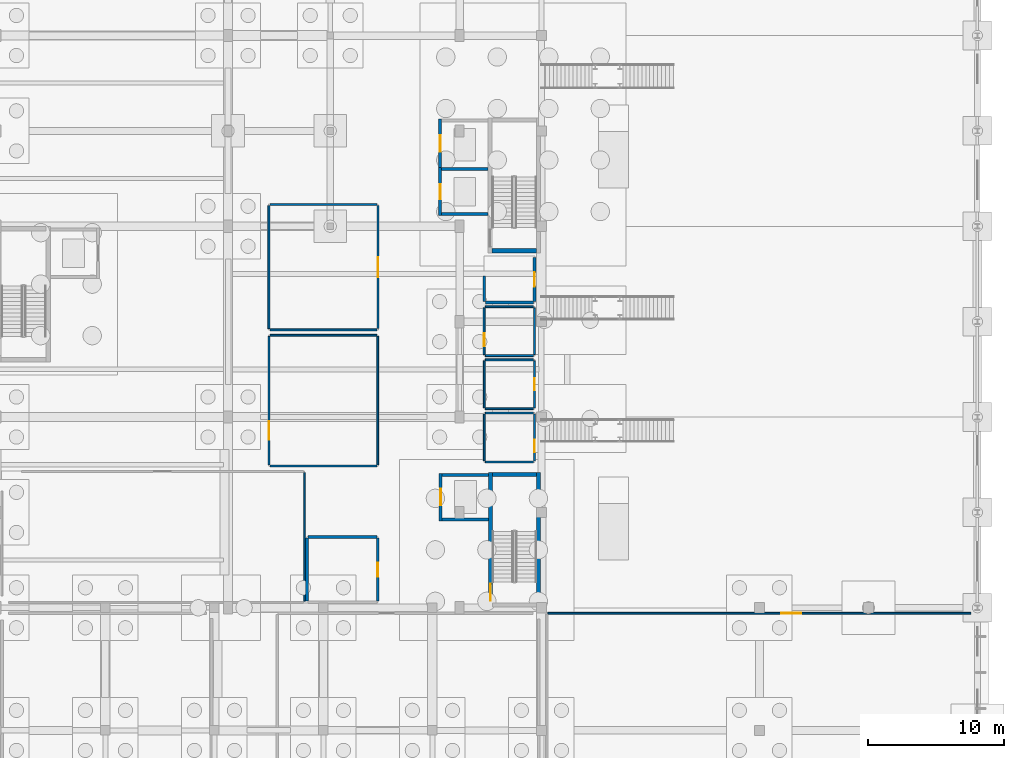
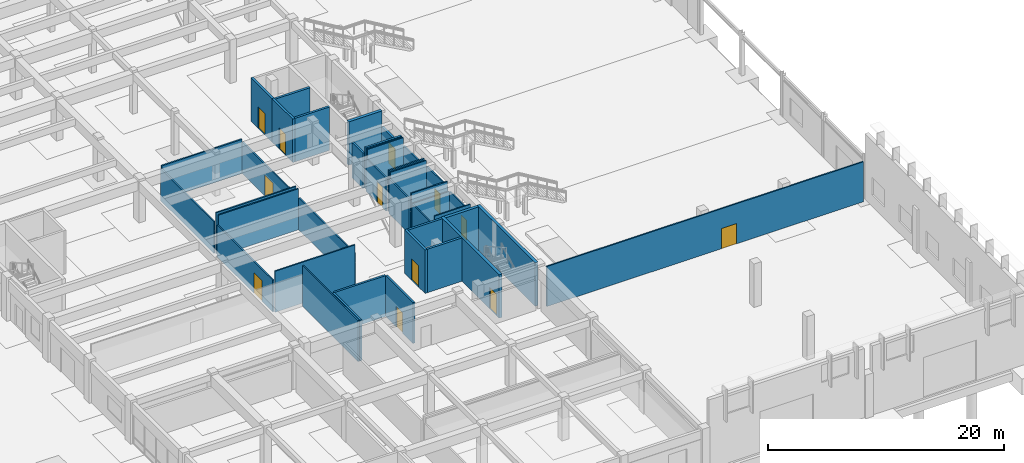
# One storey, part 61 of 84: 39 walls, 12 doors, 12 openings.
"""IFC4 building model written with IfcOpenShell, lengths in metres."""

from ifc_helpers import new_model, si_unit, direction, frame, frame_2d, origin, place, context, subcontext, project, spatial, rectangle, extrude, material, layer, layer_set, type_object, element, fill, save


model = new_model("IFC4")

# Units and contexts
model_context = context("Model", 3, precision=1e-05, world=origin(), true_north=direction((0.0, 1.0)))
body_context = subcontext(model_context, "Body", "Model", "MODEL_VIEW")
ifc_project = project(units=[si_unit("LENGTHUNIT", "METRE"), si_unit("AREAUNIT", "SQUARE_METRE"), si_unit("VOLUMEUNIT", "CUBIC_METRE"), si_unit("PLANEANGLEUNIT", "RADIAN"), si_unit("MASSUNIT", "GRAM", prefix="KILO")], contexts=[model_context])

# Site, building, storey
site_placement = place(None, origin())
site = spatial("IfcSite", under=ifc_project, at=site_placement, CompositionType="ELEMENT")
building_placement = place(site_placement, origin())
building = spatial("IfcBuilding", under=site, at=building_placement, Name="Larkveld Mobility Hub", CompositionType="ELEMENT")
storey_placement = place(building_placement, origin())
storey = spatial("IfcBuildingStorey", under=building, at=storey_placement, Name="L00", CompositionType="ELEMENT", Elevation=0.0)

# Wall, opening, door
ifc_material_1 = material(Name="Concrete C40/50", Category="concrete")
ifc_layer_1 = layer(ifc_material_1, 0.280029296875, Name="Concrete C40/50", Category="concrete")
ifc_layer_set_1 = layer_set([ifc_layer_1], Name="Concrete C40/50")
wall_type_1 = type_object("IfcWallType", Name="WL-CORE-280", PredefinedType="SHEAR", material=ifc_layer_set_1)
wall_1_placement = place(storey_placement, frame((148.260009765625, 28.070068359375, 0.0), z_axis=(0.0, 0.0, 1.0), x_axis=(0.0, 1.0, 0.0)))
wall_1 = element("IfcWall", 1, at=wall_1_placement, inside=storey, type_object=wall_type_1, Name="Core C1 Stair Shear Wall L00-W", PredefinedType="SHEAR", context=body_context, shape_type="SweptSolid", body=[
    extrude(rectangle(XDim=9.85986328125, YDim=0.280029296875, at=frame_2d((4.929931640625, 0.0))), origin(), (0.0, 0.0, 1.0), 4.5),
])
opening_1_placement = place(wall_1_placement, frame((0.429931640625, 0.0, 0.0)))
opening_1 = element("IfcOpeningElement", 2, at=opening_1_placement, cuts=wall_1, Name="Opening ED08", PredefinedType="OPENING", context=body_context, shape_type="SweptSolid", body=[
    extrude(rectangle(XDim=1.25, YDim=2.199951171875, at=frame_2d((0.625, 1.10009765625))), frame((0.0, 0.14990234375, 0.0), z_axis=(0.0, -1.0, 0.0), x_axis=(1.0, 0.0, 0.0)), (0.0, 0.0, 1.0), 0.300048828125),
])
ifc_material_2 = material(Name="Galvanised steel final exit door", Category="steel")
door_type_1 = type_object("IfcDoorType", Name="DR-EXT-ESC12", OperationType="NOTDEFINED", PredefinedType="DOOR", material=ifc_material_2)
door_1_placement = place(opening_1_placement, origin())
door_1 = element("IfcDoor", 3, at=door_1_placement, inside=storey, type_object=door_type_1, Name="Stair ST1 Fire Door L00", OperationType="SINGLE_SWING_RIGHT", OverallHeight=2.199951171875, OverallWidth=1.25, PredefinedType="DOOR", context=body_context, shape_type="SweptSolid", body=[
    extrude(rectangle(XDim=1.25, YDim=2.199951171875, at=frame_2d((0.625, 1.10009765625))), frame((0.0, 0.02490234375, 0.0), z_axis=(0.0, -1.0, 0.0), x_axis=(1.0, 0.0, 0.0)), (0.0, 0.0, 1.0), 0.050048828125),
])
fill(opening_1, door_1)

# Walls
wall_2_placement = place(storey_placement, frame((151.7900390625, 37.929931640625, 0.0), z_axis=(0.0, 0.0, 1.0), x_axis=(0.0, -1.0, 0.0)))
element("IfcWall", 4, at=wall_2_placement, inside=storey, type_object=wall_type_1, Name="Core C1 Stair Shear Wall L00-E", PredefinedType="SHEAR", context=body_context, shape_type="SweptSolid", body=[
    extrude(rectangle(XDim=9.85986328125, YDim=0.280029296875, at=frame_2d((4.929931640625, 0.0))), origin(), (0.0, 0.0, 1.0), 4.5),
])
wall_3_placement = place(storey_placement, frame((148.39990234375, 37.7900390625, 0.0), z_axis=(0.0, 0.0, 1.0), x_axis=(1.0, 0.0, 0.0)))
element("IfcWall", 5, at=wall_3_placement, inside=storey, type_object=wall_type_1, Name="Core C1 Stair Shear Wall L00-N", PredefinedType="SHEAR", context=body_context, shape_type="SweptSolid", body=[
    extrude(rectangle(XDim=3.25, YDim=0.280029296875, at=frame_2d((1.625, 0.0))), origin(), (0.0, 0.0, 1.0), 4.5),
])
ifc_material_3 = material(Name="Concrete blockwork masonry 14 MPa", Category="masonry")
ifc_layer_2 = layer(ifc_material_3, 0.1201171875, Name="Concrete blockwork masonry 14 MPa", Category="masonry")
ifc_layer_set_2 = layer_set([ifc_layer_2], Name="Concrete blockwork masonry 14 MPa")
wall_type_2 = type_object("IfcWallType", Name="WL-PRT-120", PredefinedType="PARTITIONING", material=ifc_layer_set_2)
wall_4_placement = place(storey_placement, frame((147.8798828125, 38.699951171875, 0.0), z_axis=(0.0, 0.0, 1.0), x_axis=(1.0, 0.0, 0.0)))
element("IfcWall", 6, at=wall_4_placement, inside=storey, type_object=wall_type_2, Name="Male Public Toilet Partition 0001", PredefinedType="PARTITIONING", context=body_context, shape_type="SweptSolid", body=[
    extrude(rectangle(XDim=3.5341796875, YDim=0.1201171875, at=frame_2d((1.76708984375, 0.0))), origin(), (0.0, 0.0, 1.0), 4.2451171875),
])
wall_5_placement = place(storey_placement, frame((147.8798828125, 42.2939453125, 0.0), z_axis=(0.0, 0.0, 1.0), x_axis=(1.0, 0.0, 0.0)))
element("IfcWall", 7, at=wall_5_placement, inside=storey, type_object=wall_type_2, Name="Male Public Toilet Partition 0002", PredefinedType="PARTITIONING", context=body_context, shape_type="SweptSolid", body=[
    extrude(rectangle(XDim=3.5341796875, YDim=0.1201171875, at=frame_2d((1.76708984375, 0.0))), origin(), (0.0, 0.0, 1.0), 3.39501953125),
])
wall_6_placement = place(storey_placement, frame((147.800048828125, 38.780029296875, 0.0), z_axis=(0.0, 0.0, 1.0), x_axis=(0.0, 1.0, 0.0)))
element("IfcWall", 8, at=wall_6_placement, inside=storey, type_object=wall_type_2, Name="Male Public Toilet Partition 0003", PredefinedType="PARTITIONING", context=body_context, shape_type="SweptSolid", body=[
    extrude(rectangle(XDim=3.43408203125, YDim=0.1201171875, at=frame_2d((1.717041015625, 0.0))), origin(), (0.0, 0.0, 1.0), 3.39501953125),
])

# Wall, opening, door
wall_7_placement = place(storey_placement, frame((151.493896484375, 38.780029296875, 0.0), z_axis=(0.0, 0.0, 1.0), x_axis=(0.0, 1.0, 0.0)))
wall_7 = element("IfcWall", 9, at=wall_7_placement, inside=storey, type_object=wall_type_2, Name="Male Public Toilet Partition 0004", PredefinedType="PARTITIONING", context=body_context, shape_type="SweptSolid", body=[
    extrude(rectangle(XDim=3.43408203125, YDim=0.1201171875, at=frame_2d((1.717041015625, 0.0))), origin(), (0.0, 0.0, 1.0), 3.39501953125),
])
opening_2_placement = place(wall_7_placement, frame((0.64111328125, 0.0, 0.0)))
opening_2 = element("IfcOpeningElement", 10, at=opening_2_placement, cuts=wall_7, Name="Opening DI01", PredefinedType="OPENING", context=body_context, shape_type="SweptSolid", body=[
    extrude(rectangle(XDim=0.89990234375, YDim=2.10009765625, at=frame_2d((0.449951171875, 1.050048828125))), frame((0.0, 0.070068359375, 0.0), z_axis=(0.0, -1.0, 0.0), x_axis=(1.0, 0.0, 0.0)), (0.0, 0.0, 1.0), 0.14013671875),
])
ifc_material_4 = material(Name="Solid-core hardwood timber door in aluminium frame", Category="wood")
door_type_2 = type_object("IfcDoorType", Name="DR-INT-090", OperationType="NOTDEFINED", PredefinedType="DOOR", material=ifc_material_4)
door_2_placement = place(opening_2_placement, origin())
door_2 = element("IfcDoor", 11, at=door_2_placement, inside=storey, type_object=door_type_2, Name="Male Public Toilet Door 0001", OperationType="SINGLE_SWING_RIGHT", OverallHeight=2.10009765625, OverallWidth=0.89990234375, PredefinedType="DOOR", context=body_context, shape_type="SweptSolid", body=[
    extrude(rectangle(XDim=0.89990234375, YDim=2.10009765625, at=frame_2d((0.449951171875, 1.050048828125))), frame((0.0, 0.02490234375, 0.0), z_axis=(0.0, -1.0, 0.0), x_axis=(1.0, 0.0, 0.0)), (0.0, 0.0, 1.0), 0.050048828125),
])
fill(opening_2, door_2)

# Walls
wall_8_placement = place(storey_placement, frame((134.60009765625, 28.47998046875, 0.0), z_axis=(0.0, 0.0, 1.0), x_axis=(0.0, 1.0, 0.0)))
element("IfcWall", 12, at=wall_8_placement, inside=storey, type_object=wall_type_2, Name="Intermodal Ticketing and Wayfinding Hall Partition 0023", PredefinedType="PARTITIONING", context=body_context, shape_type="SweptSolid", body=[
    extrude(rectangle(XDim=9.43994140625, YDim=0.1201171875, at=frame_2d((4.719970703125, 0.0))), origin(), (0.0, 0.0, 1.0), 4.2451171875),
])
ifc_layer_3 = layer(ifc_material_3, 0.1298828125, Name="Concrete blockwork masonry 14 MPa", Category="masonry")
ifc_layer_set_3 = layer_set([ifc_layer_3], Name="Concrete blockwork masonry 14 MPa")
wall_type_3 = type_object("IfcWallType", Name="WL-PRT-130", PredefinedType="PARTITIONING", material=ifc_layer_set_3)
for number, where, z_axis, x_axis, name in (
    (13, (147.8798828125, 42.60009765625, 0.0), (0.0, 0.0, 1.0), (1.0, 0.0, 0.0), "Female Public Toilet Partition 0005"),
    (14, (147.8798828125, 46.194091796875, 0.0), (0.0, 0.0, 1.0), (1.0, 0.0, 0.0), "Female Public Toilet Partition 0006"),
):
    element("IfcWall", number, at=place(storey_placement, frame(where, z_axis=z_axis, x_axis=x_axis)), inside=storey, type_object=wall_type_3, Name=name, PredefinedType="PARTITIONING", context=body_context, shape_type="SweptSolid", body=[
        extrude(rectangle(XDim=3.5341796875, YDim=0.1298828125, at=frame_2d((1.76708984375, 0.0))), origin(), (0.0, 0.0, 1.0), 4.2451171875),
    ])
wall_9_placement = place(storey_placement, frame((147.800048828125, 42.679931640625, 0.0), z_axis=(0.0, 0.0, 1.0), x_axis=(0.0, 1.0, 0.0)))
element("IfcWall", 15, at=wall_9_placement, inside=storey, type_object=wall_type_3, Name="Female Public Toilet Partition 0007", PredefinedType="PARTITIONING", context=body_context, shape_type="SweptSolid", body=[
    extrude(rectangle(XDim=3.43408203125, YDim=0.1298828125, at=frame_2d((1.717041015625, 0.0))), origin(), (0.0, 0.0, 1.0), 3.655029296875),
])

# Wall, opening, door
wall_10_placement = place(storey_placement, frame((151.493896484375, 42.679931640625, 0.0), z_axis=(0.0, 0.0, 1.0), x_axis=(0.0, 1.0, 0.0)))
wall_10 = element("IfcWall", 16, at=wall_10_placement, inside=storey, type_object=wall_type_3, Name="Female Public Toilet Partition 0008", PredefinedType="PARTITIONING", context=body_context, shape_type="SweptSolid", body=[
    extrude(rectangle(XDim=3.43408203125, YDim=0.1298828125, at=frame_2d((1.717041015625, 0.0))), origin(), (0.0, 0.0, 1.0), 3.655029296875),
])
opening_3_placement = place(wall_10_placement, frame((1.26708984375, 0.0, 0.0)))
opening_3 = element("IfcOpeningElement", 17, at=opening_3_placement, cuts=wall_10, Name="Opening DI01", PredefinedType="OPENING", context=body_context, shape_type="SweptSolid", body=[
    extrude(rectangle(XDim=0.89990234375, YDim=2.10009765625, at=frame_2d((0.449951171875, 1.050048828125))), frame((0.0, 0.074951171875, 0.0), z_axis=(0.0, -1.0, 0.0), x_axis=(1.0, 0.0, 0.0)), (0.0, 0.0, 1.0), 0.14990234375),
])
door_3_placement = place(opening_3_placement, origin())
door_3 = element("IfcDoor", 18, at=door_3_placement, inside=storey, type_object=door_type_2, Name="Female Public Toilet Door 0002", OperationType="SINGLE_SWING_LEFT", OverallHeight=2.10009765625, OverallWidth=0.89990234375, PredefinedType="DOOR", context=body_context, shape_type="SweptSolid", body=[
    extrude(rectangle(XDim=0.89990234375, YDim=2.10009765625, at=frame_2d((0.449951171875, 1.050048828125))), frame((0.0, 0.02490234375, 0.0), z_axis=(0.0, -1.0, 0.0), x_axis=(1.0, 0.0, 0.0)), (0.0, 0.0, 1.0), 0.050048828125),
])
fill(opening_3, door_3)

# Walls
for number, where, z_axis, x_axis, name in (
    (19, (132.080078125, 38.39990234375, 0.0), (0.0, 0.0, 1.0), (1.0, 0.0, 0.0), "Commuter Travel Retail Shop Partition 0024"),
    (20, (132.080078125, 47.9951171875, 0.0), (0.0, 0.0, 1.0), (1.0, 0.0, 0.0), "Commuter Travel Retail Shop Partition 0025"),
):
    element("IfcWall", number, at=place(storey_placement, frame(where, z_axis=z_axis, x_axis=x_axis)), inside=storey, type_object=wall_type_3, Name=name, PredefinedType="PARTITIONING", context=body_context, shape_type="SweptSolid", body=[
        extrude(rectangle(XDim=7.8349609375, YDim=0.1298828125, at=frame_2d((3.91748046875, 0.0))), origin(), (0.0, 0.0, 1.0), 4.2451171875),
    ])

# Wall, opening, door
wall_11_placement = place(storey_placement, frame((132.0, 38.47998046875, 0.0), z_axis=(0.0, 0.0, 1.0), x_axis=(0.0, 1.0, 0.0)))
wall_11 = element("IfcWall", 21, at=wall_11_placement, inside=storey, type_object=wall_type_3, Name="Commuter Travel Retail Shop Partition 0026", PredefinedType="PARTITIONING", context=body_context, shape_type="SweptSolid", body=[
    extrude(rectangle(XDim=9.43505859375, YDim=0.1298828125, at=frame_2d((4.717529296875, 0.0))), origin(), (0.0, 0.0, 1.0), 3.294921875),
])
opening_4_placement = place(wall_11_placement, frame((1.863037109375, 0.0, 0.0)))
opening_4 = element("IfcOpeningElement", 22, at=opening_4_placement, cuts=wall_11, Name="Opening DI07", PredefinedType="OPENING", context=body_context, shape_type="SweptSolid", body=[
    extrude(rectangle(XDim=1.35009765625, YDim=2.14990234375, at=frame_2d((0.675048828125, 1.074951171875))), frame((0.0, 0.074951171875, 0.0), z_axis=(0.0, -1.0, 0.0), x_axis=(1.0, 0.0, 0.0)), (0.0, 0.0, 1.0), 0.14990234375),
])
door_type_3 = type_object("IfcDoorType", Name="DR-INT-135", OperationType="NOTDEFINED", PredefinedType="DOOR", material=ifc_material_4)
door_4_placement = place(opening_4_placement, origin())
door_4 = element("IfcDoor", 23, at=door_4_placement, inside=storey, type_object=door_type_3, Name="Commuter Travel Retail Shop Door 0007", OperationType="SINGLE_SWING_RIGHT", OverallHeight=2.14990234375, OverallWidth=1.35009765625, PredefinedType="DOOR", context=body_context, shape_type="SweptSolid", body=[
    extrude(rectangle(XDim=1.35009765625, YDim=2.14990234375, at=frame_2d((0.675048828125, 1.074951171875))), frame((0.0, 0.02490234375, 0.0), z_axis=(0.0, -1.0, 0.0), x_axis=(1.0, 0.0, 0.0)), (0.0, 0.0, 1.0), 0.050048828125),
])
fill(opening_4, door_4)

# Wall
wall_12_placement = place(storey_placement, frame((139.9951171875, 38.47998046875, 0.0), z_axis=(0.0, 0.0, 1.0), x_axis=(0.0, 1.0, 0.0)))
element("IfcWall", 24, at=wall_12_placement, inside=storey, type_object=wall_type_3, Name="Commuter Travel Retail Shop Partition 0027", PredefinedType="PARTITIONING", context=body_context, shape_type="SweptSolid", body=[
    extrude(rectangle(XDim=9.43505859375, YDim=0.1298828125, at=frame_2d((4.717529296875, 0.0))), origin(), (0.0, 0.0, 1.0), 3.294921875),
])

# Wall, opening, door
wall_13_placement = place(storey_placement, frame((152.47998046875, 27.594970703125, 0.0), z_axis=(0.0, 0.0, 1.0), x_axis=(1.0, 0.0, 0.0)))
wall_13 = element("IfcWall", 25, at=wall_13_placement, inside=storey, type_object=wall_type_3, Name="High-Bay Bus and Taxi Fleet Maintenance Workshop Partition 0047", PredefinedType="PARTITIONING", context=body_context, shape_type="SweptSolid", body=[
    extrude(rectangle(XDim=31.034912109375, YDim=0.1298828125, at=frame_2d((15.517578125, 0.0))), origin(), (0.0, 0.0, 1.0), 4.14990234375),
])
opening_5_placement = place(wall_13_placement, frame((17.10595703125, 0.0, 0.0)))
opening_5 = element("IfcOpeningElement", 26, at=opening_5_placement, cuts=wall_13, Name="Opening DI12", PredefinedType="OPENING", context=body_context, shape_type="SweptSolid", body=[
    extrude(rectangle(XDim=1.5, YDim=2.10009765625, at=frame_2d((0.75, 1.050048828125))), frame((0.0, 0.074951171875, 0.0), z_axis=(0.0, -1.0, 0.0), x_axis=(1.0, 0.0, 0.0)), (0.0, 0.0, 1.0), 0.14990234375),
])
door_type_4 = type_object("IfcDoorType", Name="DR-INT-150", OperationType="NOTDEFINED", PredefinedType="DOOR", material=ifc_material_4)
door_5_placement = place(opening_5_placement, origin())
door_5 = element("IfcDoor", 27, at=door_5_placement, inside=storey, type_object=door_type_4, Name="High-Bay Bus and Taxi Fleet Maintenance Workshop Door 0012", OperationType="DOUBLE_DOOR_SINGLE_SWING", OverallHeight=2.10009765625, OverallWidth=1.5, PredefinedType="DOOR", context=body_context, shape_type="SweptSolid", body=[
    extrude(rectangle(XDim=1.5, YDim=2.10009765625, at=frame_2d((0.75, 1.050048828125))), frame((0.0, 0.02490234375, 0.0), z_axis=(0.0, -1.0, 0.0), x_axis=(1.0, 0.0, 0.0)), (0.0, 0.0, 1.0), 0.050048828125),
])
fill(opening_5, door_5)

# Walls
ifc_layer_4 = layer(ifc_material_3, 0.139892578125, Name="Concrete blockwork masonry 14 MPa", Category="masonry")
ifc_layer_set_4 = layer_set([ifc_layer_4], Name="Concrete blockwork masonry 14 MPa")
wall_type_4 = type_object("IfcWallType", Name="WL-PRT-140", PredefinedType="PARTITIONING", material=ifc_layer_set_4)
for number, where, z_axis, x_axis, name in (
    (28, (147.8798828125, 46.5, 0.0), (0.0, 0.0, 1.0), (1.0, 0.0, 0.0), "Accessible Unisex Toilet Partition 0009"),
    (29, (147.8798828125, 50.093994140625, 0.0), (0.0, 0.0, 1.0), (1.0, 0.0, 0.0), "Accessible Unisex Toilet Partition 0010"),
):
    element("IfcWall", number, at=place(storey_placement, frame(where, z_axis=z_axis, x_axis=x_axis)), inside=storey, type_object=wall_type_4, Name=name, PredefinedType="PARTITIONING", context=body_context, shape_type="SweptSolid", body=[
        extrude(rectangle(XDim=3.5341796875, YDim=0.139892578125, at=frame_2d((1.76708984375, 0.0))), origin(), (0.0, 0.0, 1.0), 4.2451171875),
    ])

# Wall, opening, door
wall_14_placement = place(storey_placement, frame((147.800048828125, 46.580078125, 0.0), z_axis=(0.0, 0.0, 1.0), x_axis=(0.0, 1.0, 0.0)))
wall_14 = element("IfcWall", 30, at=wall_14_placement, inside=storey, type_object=wall_type_4, Name="Accessible Unisex Toilet Partition 0011", PredefinedType="PARTITIONING", context=body_context, shape_type="SweptSolid", body=[
    extrude(rectangle(XDim=3.433837890625, YDim=0.139892578125, at=frame_2d((1.716796875, 0.0))), origin(), (0.0, 0.0, 1.0), 3.39501953125),
])
opening_6_placement = place(wall_14_placement, frame((0.6298828125, 0.0, 0.0)))
opening_6 = element("IfcOpeningElement", 31, at=opening_6_placement, cuts=wall_14, Name="Opening DI02", PredefinedType="OPENING", context=body_context, shape_type="SweptSolid", body=[
    extrude(rectangle(XDim=0.949951171875, YDim=2.10009765625, at=frame_2d((0.47509765625, 1.050048828125))), frame((0.0, 0.080078125, 0.0), z_axis=(0.0, -1.0, 0.0), x_axis=(1.0, 0.0, 0.0)), (0.0, 0.0, 1.0), 0.159912109375),
])
door_type_5 = type_object("IfcDoorType", Name="DR-INT-095", OperationType="NOTDEFINED", PredefinedType="DOOR", material=ifc_material_4)
door_6_placement = place(opening_6_placement, origin())
door_6 = element("IfcDoor", 32, at=door_6_placement, inside=storey, type_object=door_type_5, Name="Accessible Unisex Toilet Door 0003", OperationType="SINGLE_SWING_RIGHT", OverallHeight=2.10009765625, OverallWidth=0.949951171875, PredefinedType="DOOR", context=body_context, shape_type="SweptSolid", body=[
    extrude(rectangle(XDim=0.949951171875, YDim=2.10009765625, at=frame_2d((0.47509765625, 1.050048828125))), frame((0.0, 0.02490234375, 0.0), z_axis=(0.0, -1.0, 0.0), x_axis=(1.0, 0.0, 0.0)), (0.0, 0.0, 1.0), 0.050048828125),
])
fill(opening_6, door_6)

# Walls
wall_15_placement = place(storey_placement, frame((151.493896484375, 46.580078125, 0.0), z_axis=(0.0, 0.0, 1.0), x_axis=(0.0, 1.0, 0.0)))
element("IfcWall", 33, at=wall_15_placement, inside=storey, type_object=wall_type_4, Name="Accessible Unisex Toilet Partition 0012", PredefinedType="PARTITIONING", context=body_context, shape_type="SweptSolid", body=[
    extrude(rectangle(XDim=3.433837890625, YDim=0.139892578125, at=frame_2d((1.716796875, 0.0))), origin(), (0.0, 0.0, 1.0), 3.39501953125),
])
wall_16_placement = place(storey_placement, frame((132.080078125, 48.39990234375, 0.0), z_axis=(0.0, 0.0, 1.0), x_axis=(1.0, 0.0, 0.0)))
element("IfcWall", 34, at=wall_16_placement, inside=storey, type_object=wall_type_4, Name="Concourse Espresso Cafe Partition 0028", PredefinedType="PARTITIONING", context=body_context, shape_type="SweptSolid", body=[
    extrude(rectangle(XDim=7.8349609375, YDim=0.139892578125, at=frame_2d((3.91748046875, 0.0))), origin(), (0.0, 0.0, 1.0), 4.2451171875),
])
wall_17_placement = place(storey_placement, frame((132.080078125, 57.594970703125, 0.0), z_axis=(0.0, 0.0, 1.0), x_axis=(1.0, 0.0, 0.0)))
element("IfcWall", 35, at=wall_17_placement, inside=storey, type_object=wall_type_4, Name="Concourse Espresso Cafe Partition 0029", PredefinedType="PARTITIONING", context=body_context, shape_type="SweptSolid", body=[
    extrude(rectangle(XDim=7.8349609375, YDim=0.139892578125, at=frame_2d((3.91748046875, 0.0))), origin(), (0.0, 0.0, 1.0), 3.544921875),
])
wall_18_placement = place(storey_placement, frame((132.0, 48.47998046875, 0.0), z_axis=(0.0, 0.0, 1.0), x_axis=(0.0, 1.0, 0.0)))
element("IfcWall", 36, at=wall_18_placement, inside=storey, type_object=wall_type_4, Name="Concourse Espresso Cafe Partition 0030", PredefinedType="PARTITIONING", context=body_context, shape_type="SweptSolid", body=[
    extrude(rectangle(XDim=9.034912109375, YDim=0.139892578125, at=frame_2d((4.517578125, 0.0))), origin(), (0.0, 0.0, 1.0), 3.294921875),
])

# Wall, opening, door
wall_19_placement = place(storey_placement, frame((139.9951171875, 48.47998046875, 0.0), z_axis=(0.0, 0.0, 1.0), x_axis=(0.0, 1.0, 0.0)))
wall_19 = element("IfcWall", 37, at=wall_19_placement, inside=storey, type_object=wall_type_4, Name="Concourse Espresso Cafe Partition 0031", PredefinedType="PARTITIONING", context=body_context, shape_type="SweptSolid", body=[
    extrude(rectangle(XDim=9.034912109375, YDim=0.139892578125, at=frame_2d((4.517578125, 0.0))), origin(), (0.0, 0.0, 1.0), 3.294921875),
])
opening_7_placement = place(wall_19_placement, frame((3.79296875, 0.0, 0.0)))
opening_7 = element("IfcOpeningElement", 38, at=opening_7_placement, cuts=wall_19, Name="Opening DI08", PredefinedType="OPENING", context=body_context, shape_type="SweptSolid", body=[
    extrude(rectangle(XDim=1.449951171875, YDim=2.199951171875, at=frame_2d((0.72509765625, 1.10009765625))), frame((0.0, 0.080078125, 0.0), z_axis=(0.0, -1.0, 0.0), x_axis=(1.0, 0.0, 0.0)), (0.0, 0.0, 1.0), 0.159912109375),
])
door_type_6 = type_object("IfcDoorType", Name="DR-INT-145", OperationType="NOTDEFINED", PredefinedType="DOOR", material=ifc_material_4)
door_7_placement = place(opening_7_placement, origin())
door_7 = element("IfcDoor", 39, at=door_7_placement, inside=storey, type_object=door_type_6, Name="Concourse Espresso Cafe Door 0008", OperationType="DOUBLE_DOOR_SINGLE_SWING", OverallHeight=2.199951171875, OverallWidth=1.449951171875, PredefinedType="DOOR", context=body_context, shape_type="SweptSolid", body=[
    extrude(rectangle(XDim=1.449951171875, YDim=2.199951171875, at=frame_2d((0.72509765625, 1.10009765625))), frame((0.0, 0.02490234375, 0.0), z_axis=(0.0, -1.0, 0.0), x_axis=(1.0, 0.0, 0.0)), (0.0, 0.0, 1.0), 0.050048828125),
])
fill(opening_7, door_7)

# Walls
ifc_layer_5 = layer(ifc_material_3, 0.195068359375, Name="Concrete blockwork masonry 14 MPa", Category="masonry")
ifc_layer_set_5 = layer_set([ifc_layer_5], Name="Concrete blockwork masonry 14 MPa")
wall_type_5 = type_object("IfcWallType", Name="WL-PRT-195", PredefinedType="PARTITIONING", material=ifc_layer_set_5)
wall_20_placement = place(storey_placement, frame((134.8798828125, 33.194091796875, 0.0), z_axis=(0.0, 0.0, 1.0), x_axis=(1.0, 0.0, 0.0)))
element("IfcWall", 40, at=wall_20_placement, inside=storey, type_object=wall_type_5, Name="Fire Command Centre Partition 0017", PredefinedType="PARTITIONING", context=body_context, shape_type="SweptSolid", body=[
    extrude(rectangle(XDim=5.0341796875, YDim=0.195068359375, at=frame_2d((2.51708984375, 0.0))), origin(), (0.0, 0.0, 1.0), 4.2451171875),
])
wall_21_placement = place(storey_placement, frame((134.800048828125, 28.47998046875, 0.0), z_axis=(0.0, 0.0, 1.0), x_axis=(0.0, 1.0, 0.0)))
element("IfcWall", 41, at=wall_21_placement, inside=storey, type_object=wall_type_5, Name="Fire Command Centre Partition 0018", PredefinedType="PARTITIONING", context=body_context, shape_type="SweptSolid", body=[
    extrude(rectangle(XDim=4.634033203125, YDim=0.195068359375, at=frame_2d((2.31689453125, 0.0))), origin(), (0.0, 0.0, 1.0), 4.2451171875),
])

# Wall, opening, door
wall_22_placement = place(storey_placement, frame((139.993896484375, 28.47998046875, 0.0), z_axis=(0.0, 0.0, 1.0), x_axis=(0.0, 1.0, 0.0)))
wall_22 = element("IfcWall", 42, at=wall_22_placement, inside=storey, type_object=wall_type_5, Name="Fire Command Centre Partition 0019", PredefinedType="PARTITIONING", context=body_context, shape_type="SweptSolid", body=[
    extrude(rectangle(XDim=4.634033203125, YDim=0.195068359375, at=frame_2d((2.31689453125, 0.0))), origin(), (0.0, 0.0, 1.0), 4.2451171875),
])
opening_8_placement = place(wall_22_placement, frame((1.7919921875, 0.0, 0.0)))
opening_8 = element("IfcOpeningElement", 43, at=opening_8_placement, cuts=wall_22, Name="Opening DF02", PredefinedType="OPENING", context=body_context, shape_type="SweptSolid", body=[
    extrude(rectangle(XDim=1.050048828125, YDim=2.14990234375, at=frame_2d((0.52490234375, 1.074951171875))), frame((0.0, 0.107421875, 0.0), z_axis=(0.0, -1.0, 0.0), x_axis=(1.0, 0.0, 0.0)), (0.0, 0.0, 1.0), 0.215087890625),
])
ifc_material_5 = material(Name="Pressed Steel S355JR fire door assembly", Category="steel")
door_type_7 = type_object("IfcDoorType", Name="DR-FD60", OperationType="NOTDEFINED", PredefinedType="DOOR", material=ifc_material_5)
door_8_placement = place(opening_8_placement, origin())
door_8 = element("IfcDoor", 44, at=door_8_placement, inside=storey, type_object=door_type_7, Name="Fire Command Centre Door 0005", OperationType="SINGLE_SWING_RIGHT", OverallHeight=2.14990234375, OverallWidth=1.050048828125, PredefinedType="DOOR", context=body_context, shape_type="SweptSolid", body=[
    extrude(rectangle(XDim=1.050048828125, YDim=2.14990234375, at=frame_2d((0.52490234375, 1.074951171875))), frame((0.0, 0.02490234375, 0.0), z_axis=(0.0, -1.0, 0.0), x_axis=(1.0, 0.0, 0.0)), (0.0, 0.0, 1.0), 0.050048828125),
])
fill(opening_8, door_8)

# Walls
ifc_layer_6 = layer(ifc_material_3, 0.2099609375, Name="Concrete blockwork masonry 14 MPa", Category="masonry")
ifc_layer_set_6 = layer_set([ifc_layer_6], Name="Concrete blockwork masonry 14 MPa")
wall_type_6 = type_object("IfcWallType", Name="WL-PRT-210", PredefinedType="PARTITIONING", material=ifc_layer_set_6)
wall_23_placement = place(storey_placement, frame((147.8798828125, 50.39990234375, 0.0), z_axis=(0.0, 0.0, 1.0), x_axis=(1.0, 0.0, 0.0)))
element("IfcWall", 45, at=wall_23_placement, inside=storey, type_object=wall_type_6, Name="Cleaners Store Room Partition 0013", PredefinedType="PARTITIONING", context=body_context, shape_type="SweptSolid", body=[
    extrude(rectangle(XDim=3.5341796875, YDim=0.2099609375, at=frame_2d((1.76708984375, 0.0))), origin(), (0.0, 0.0, 1.0), 4.2451171875),
])
wall_24_placement = place(storey_placement, frame((147.800048828125, 50.47998046875, 0.0), z_axis=(0.0, 0.0, 1.0), x_axis=(0.0, 1.0, 0.0)))
element("IfcWall", 46, at=wall_24_placement, inside=storey, type_object=wall_type_6, Name="Cleaners Store Room Partition 0014", PredefinedType="PARTITIONING", context=body_context, shape_type="SweptSolid", body=[
    extrude(rectangle(XDim=1.864013671875, YDim=0.2099609375, at=frame_2d((0.93212890625, 0.0))), origin(), (0.0, 0.0, 1.0), 3.655029296875),
])

# Wall, opening, door
wall_25_placement = place(storey_placement, frame((151.493896484375, 50.47998046875, 0.0), z_axis=(0.0, 0.0, 1.0), x_axis=(0.0, 1.0, 0.0)))
wall_25 = element("IfcWall", 47, at=wall_25_placement, inside=storey, type_object=wall_type_6, Name="Cleaners Store Room Partition 0015", PredefinedType="PARTITIONING", context=body_context, shape_type="SweptSolid", body=[
    extrude(rectangle(XDim=3.234130859375, YDim=0.2099609375, at=frame_2d((1.6171875, 0.0))), origin(), (0.0, 0.0, 1.0), 3.14501953125),
])
opening_9_placement = place(wall_25_placement, frame((1.092041015625, 0.0, 0.0)))
opening_9 = element("IfcOpeningElement", 48, at=opening_9_placement, cuts=wall_25, Name="Opening DF02", PredefinedType="OPENING", context=body_context, shape_type="SweptSolid", body=[
    extrude(rectangle(XDim=1.050048828125, YDim=2.14990234375, at=frame_2d((0.52490234375, 1.074951171875))), frame((0.0, 0.114990234375, 0.0), z_axis=(0.0, -1.0, 0.0), x_axis=(1.0, 0.0, 0.0)), (0.0, 0.0, 1.0), 0.22998046875),
])
door_9_placement = place(opening_9_placement, origin())
door_9 = element("IfcDoor", 49, at=door_9_placement, inside=storey, type_object=door_type_7, Name="Cleaners Store Room Door 0004", OperationType="SINGLE_SWING_LEFT", OverallHeight=2.14990234375, OverallWidth=1.050048828125, PredefinedType="DOOR", context=body_context, shape_type="SweptSolid", body=[
    extrude(rectangle(XDim=1.050048828125, YDim=2.14990234375, at=frame_2d((0.52490234375, 1.074951171875))), frame((0.0, 0.02490234375, 0.0), z_axis=(0.0, -1.0, 0.0), x_axis=(1.0, 0.0, 0.0)), (0.0, 0.0, 1.0), 0.050048828125),
])
fill(opening_9, door_9)

ifc_layer_7 = layer(ifc_material_1, 0.219970703125, Name="Concrete C40/50", Category="concrete")
ifc_layer_set_7 = layer_set([ifc_layer_7], Name="Concrete C40/50")
wall_type_7 = type_object("IfcWallType", Name="WL-SHF-220", PredefinedType="SHEAR", material=ifc_layer_set_7)
wall_26_placement = place(storey_placement, frame((144.610107421875, 34.3798828125, 0.0), z_axis=(0.0, 0.0, 1.0), x_axis=(0.0, 1.0, 0.0)))
wall_26 = element("IfcWall", 50, at=wall_26_placement, inside=storey, type_object=wall_type_7, Name="Lift FL1 Shaft Wall L00-W", PredefinedType="SHEAR", context=body_context, shape_type="SweptSolid", body=[
    extrude(rectangle(XDim=3.490234375, YDim=0.219970703125, at=frame_2d((1.7451171875, 0.0))), origin(), (0.0, 0.0, 1.0), 4.5),
])
opening_10_placement = place(wall_26_placement, frame((1.14501953125, 0.0, 0.0)))
opening_10 = element("IfcOpeningElement", 51, at=opening_10_placement, cuts=wall_26, Name="Opening LD02", PredefinedType="OPENING", context=body_context, shape_type="SweptSolid", body=[
    extrude(rectangle(XDim=1.199951171875, YDim=2.199951171875, at=frame_2d((0.60009765625, 1.10009765625))), frame((0.0, 0.1201171875, 0.0), z_axis=(0.0, -1.0, 0.0), x_axis=(1.0, 0.0, 0.0)), (0.0, 0.0, 1.0), 0.239990234375),
])
ifc_material_6 = material(Name="Brushed stainless Steel S355JR sliding landing door", Category="steel")
door_type_8 = type_object("IfcDoorType", Name="DR-LD-120", OperationType="DOUBLE_DOOR_SLIDING", PredefinedType="DOOR", material=ifc_material_6)
door_10_placement = place(opening_10_placement, origin())
door_10 = element("IfcDoor", 52, at=door_10_placement, inside=storey, type_object=door_type_8, Name="Lift landing door FL1-L00", OperationType="DOUBLE_DOOR_SLIDING", OverallHeight=2.199951171875, OverallWidth=1.199951171875, PredefinedType="DOOR", context=body_context, shape_type="SweptSolid", body=[
    extrude(rectangle(XDim=1.199951171875, YDim=2.199951171875, at=frame_2d((0.60009765625, 1.10009765625))), frame((0.0, 0.02490234375, 0.0), z_axis=(0.0, -1.0, 0.0), x_axis=(1.0, 0.0, 0.0)), (0.0, 0.0, 1.0), 0.050048828125),
])
fill(opening_10, door_10)

# Walls
for number, where, z_axis, x_axis, name in (
    (53, (148.1201171875, 34.489990234375, 0.0), (0.0, 0.0, 1.0), (-1.0, 0.0, 0.0), "Lift FL1 Shaft Wall L00-S"),
    (54, (144.719970703125, 37.760009765625, 0.0), (0.0, 0.0, 1.0), (1.0, 0.0, 0.0), "Lift FL1 Shaft Wall L00-N"),
):
    element("IfcWall", number, at=place(storey_placement, frame(where, z_axis=z_axis, x_axis=x_axis)), inside=storey, type_object=wall_type_7, Name=name, PredefinedType="SHEAR", context=body_context, shape_type="SweptSolid", body=[
        extrude(rectangle(XDim=3.400146484375, YDim=0.219970703125, at=frame_2d((1.7001953125, 0.0))), origin(), (0.0, 0.0, 1.0), 4.5),
    ])

# Wall, opening, door
wall_27_placement = place(storey_placement, frame((144.570068359375, 60.300048828125, 0.0), z_axis=(0.0, 0.0, 1.0), x_axis=(0.0, 1.0, 0.0)))
wall_27 = element("IfcWall", 55, at=wall_27_placement, inside=storey, type_object=wall_type_7, Name="Lift FL2 Shaft Wall L00-W", PredefinedType="SHEAR", context=body_context, shape_type="SweptSolid", body=[
    extrude(rectangle(XDim=3.570068359375, YDim=0.219970703125, at=frame_2d((1.78515625, 0.0))), origin(), (0.0, 0.0, 1.0), 4.5),
])
opening_11_placement = place(wall_27_placement, frame((1.18505859375, 0.0, 0.0)))
opening_11 = element("IfcOpeningElement", 56, at=opening_11_placement, cuts=wall_27, Name="Opening LD02", PredefinedType="OPENING", context=body_context, shape_type="SweptSolid", body=[
    extrude(rectangle(XDim=1.199951171875, YDim=2.199951171875, at=frame_2d((0.60009765625, 1.10009765625))), frame((0.0, 0.1201171875, 0.0), z_axis=(0.0, -1.0, 0.0), x_axis=(1.0, 0.0, 0.0)), (0.0, 0.0, 1.0), 0.239990234375),
])
door_11_placement = place(opening_11_placement, origin())
door_11 = element("IfcDoor", 57, at=door_11_placement, inside=storey, type_object=door_type_8, Name="Lift landing door FL2-L00", OperationType="DOUBLE_DOOR_SLIDING", OverallHeight=2.199951171875, OverallWidth=1.199951171875, PredefinedType="DOOR", context=body_context, shape_type="SweptSolid", body=[
    extrude(rectangle(XDim=1.199951171875, YDim=2.199951171875, at=frame_2d((0.60009765625, 1.10009765625))), frame((0.0, 0.02490234375, 0.0), z_axis=(0.0, -1.0, 0.0), x_axis=(1.0, 0.0, 0.0)), (0.0, 0.0, 1.0), 0.050048828125),
])
fill(opening_11, door_11)

wall_28_placement = place(storey_placement, frame((144.570068359375, 56.780029296875, 0.0), z_axis=(0.0, 0.0, 1.0), x_axis=(0.0, 1.0, 0.0)))
wall_28 = element("IfcWall", 58, at=wall_28_placement, inside=storey, type_object=wall_type_7, Name="Lift PL1 Shaft Wall L00-W", PredefinedType="SHEAR", context=body_context, shape_type="SweptSolid", body=[
    extrude(rectangle(XDim=3.52001953125, YDim=0.219970703125, at=frame_2d((1.760009765625, 0.0))), origin(), (0.0, 0.0, 1.0), 4.5),
])
opening_12_placement = place(wall_28_placement, frame((1.2099609375, 0.0, 0.0)))
opening_12 = element("IfcOpeningElement", 59, at=opening_12_placement, cuts=wall_28, Name="Opening LD01", PredefinedType="OPENING", context=body_context, shape_type="SweptSolid", body=[
    extrude(rectangle(XDim=1.10009765625, YDim=2.199951171875, at=frame_2d((0.550048828125, 1.10009765625))), frame((0.0, 0.1201171875, 0.0), z_axis=(0.0, -1.0, 0.0), x_axis=(1.0, 0.0, 0.0)), (0.0, 0.0, 1.0), 0.239990234375),
])
door_type_9 = type_object("IfcDoorType", Name="DR-LD-110", OperationType="DOUBLE_DOOR_SLIDING", PredefinedType="DOOR", material=ifc_material_6)
door_12_placement = place(opening_12_placement, origin())
door_12 = element("IfcDoor", 60, at=door_12_placement, inside=storey, type_object=door_type_9, Name="Lift landing door PL1-L00", OperationType="DOUBLE_DOOR_SLIDING", OverallHeight=2.199951171875, OverallWidth=1.10009765625, PredefinedType="DOOR", context=body_context, shape_type="SweptSolid", body=[
    extrude(rectangle(XDim=1.10009765625, YDim=2.199951171875, at=frame_2d((0.550048828125, 1.10009765625))), frame((0.0, 0.02490234375, 0.0), z_axis=(0.0, -1.0, 0.0), x_axis=(1.0, 0.0, 0.0)), (0.0, 0.0, 1.0), 0.050048828125),
])
fill(opening_12, door_12)

# Walls
for number, where, z_axis, x_axis, name in (
    (61, (148.080078125, 56.889892578125, 0.0), (0.0, 0.0, 1.0), (-1.0, 0.0, 0.0), "Lift PL1 Shaft Wall L00-S"),
    (62, (144.679931640625, 60.18994140625, 0.0), (0.0, 0.0, 1.0), (1.0, 0.0, 0.0), "Lift PL1 Shaft Wall L00-N"),
):
    element("IfcWall", number, at=place(storey_placement, frame(where, z_axis=z_axis, x_axis=x_axis)), inside=storey, type_object=wall_type_7, Name=name, PredefinedType="SHEAR", context=body_context, shape_type="SweptSolid", body=[
        extrude(rectangle(XDim=3.400146484375, YDim=0.219970703125, at=frame_2d((1.7001953125, 0.0))), origin(), (0.0, 0.0, 1.0), 4.5),
    ])
ifc_layer_8 = layer(ifc_material_1, 0.300048828125, Name="Concrete C40/50", Category="concrete")
ifc_layer_set_8 = layer_set([ifc_layer_8], Name="Concrete C40/50")
wall_type_8 = type_object("IfcWallType", Name="WL-SHR-02", PredefinedType="SHEAR", material=ifc_layer_set_8)
wall_29_placement = place(storey_placement, frame((151.64990234375, 54.199951171875, 0.0), z_axis=(0.0, 0.0, 1.0), x_axis=(-1.0, 0.0, 0.0)))
element("IfcWall", 63, at=wall_29_placement, inside=storey, type_object=wall_type_8, Name="Core C2 Stair Shear Wall L00-S", PredefinedType="SHEAR", context=body_context, shape_type="SweptSolid", body=[
    extrude(rectangle(XDim=3.27001953125, YDim=0.300048828125, at=frame_2d((1.635009765625, 0.0))), origin(), (0.0, 0.0, 1.0), 4.5),
])

save(model, "model.ifc")
